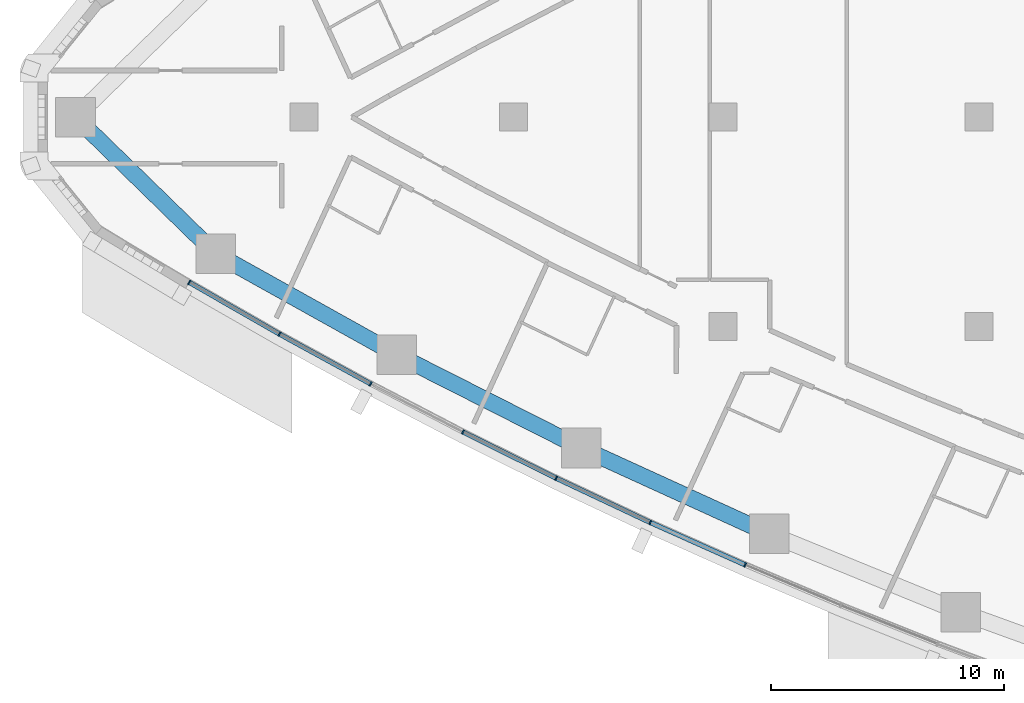
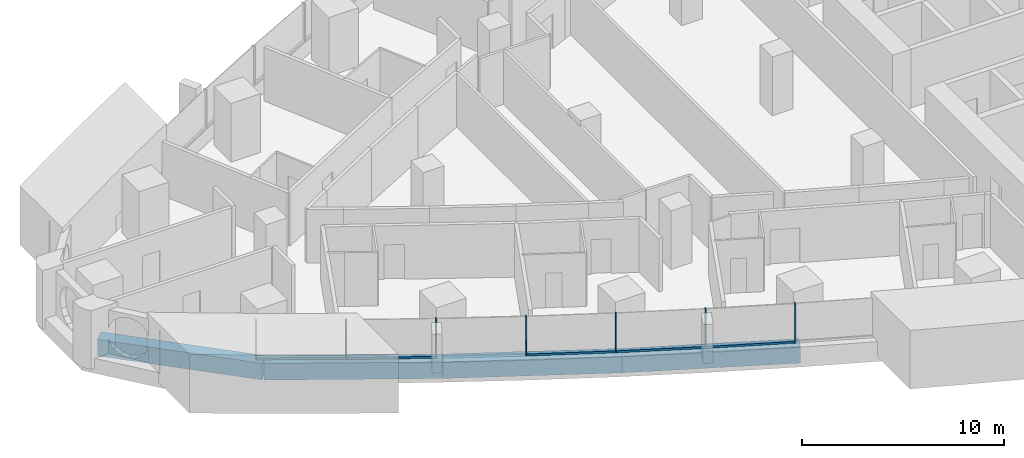
# One storey, part 2 of 17: 12 members, 4 beams, 3 elements without a shape of their own.
"""IFC4 building model written with IfcOpenShell, lengths in metres."""

from ifc_helpers import new_model, si_unit, direction, frame, origin, origin_2d, place, context, subcontext, project, spatial, rectangle, extrude, material, layer, layer_set, material_profile, profile_set, type_object, element, aggregate, save


model = new_model("IFC4")

# Units and contexts
model_context = context("Model", 3, precision=1e-05, world=origin(), true_north=direction((0.0, 1.0)))
body_context = subcontext(model_context, "Body", "Model", "MODEL_VIEW")
ifc_project = project(units=[si_unit("LENGTHUNIT", "METRE"), si_unit("AREAUNIT", "SQUARE_METRE"), si_unit("VOLUMEUNIT", "CUBIC_METRE"), si_unit("PLANEANGLEUNIT", "RADIAN"), si_unit("MASSUNIT", "GRAM", prefix="KILO")], contexts=[model_context])

# Site, building, storey
site_placement = place(None, origin())
site = spatial("IfcSite", under=ifc_project, at=site_placement, CompositionType="ELEMENT")
building_placement = place(site_placement, origin())
building = spatial("IfcBuilding", under=site, at=building_placement, Name="Ostrand Prow Hotel Tower", CompositionType="ELEMENT")
storey_placement = place(building_placement, frame((0.0, 0.0, 92.0)))
storey = spatial("IfcBuildingStorey", under=building, at=storey_placement, Name="L21", CompositionType="ELEMENT", Elevation=92.0)

# Beams
ifc_material_1 = material(Name="Concrete C80/95", Category="concrete")
ifc_material_profile_1 = material_profile(ifc_material_1, rectangle(XDim=0.699951171875, YDim=1.0, at=origin_2d()), Name="RC 700x1000")
ifc_profile_set_1 = profile_set([ifc_material_profile_1], Name="Concrete C80/95")
beam_type = type_object("IfcBeamType", Name="Edge beam 700x1000 C80/95", PredefinedType="SPANDREL", material=ifc_profile_set_1)
beam_1_placement = place(storey_placement, frame((6.193115234375, 0.0, -0.800048828125), z_axis=(0.716082759826, -0.698015387423, 0.0), x_axis=(0.698015387423, 0.716082759826, 0.0)))
element("IfcBeam", 1, at=beam_1_placement, inside=storey, type_object=beam_type, Name="Edge beam P-S1", PredefinedType="SPANDREL", context=body_context, shape_type="SweptSolid", body=[
    extrude(rectangle(XDim=0.699951171875, YDim=1.0, at=origin_2d()), origin(), (0.0, 0.0, 1.0), 8.41845703125),
])
beam_2_placement = place(storey_placement, frame((12.221435546875, -5.876220703125, -0.800048828125), z_axis=(0.873452439955, -0.486909473245, 0.0), x_axis=(0.486909473245, 0.873452439955, 0.0)))
element("IfcBeam", 2, at=beam_2_placement, inside=storey, type_object=beam_type, Name="Edge beam S1-S2", PredefinedType="SPANDREL", context=body_context, shape_type="SweptSolid", body=[
    extrude(rectangle(XDim=0.699951171875, YDim=1.0, at=origin_2d()), origin(), (0.0, 0.0, 1.0), 8.883544921875),
])
beam_3_placement = place(storey_placement, frame((19.980712890625, -10.20166015625, -0.800048828125), z_axis=(0.892284288592, -0.451473973039, 0.0), x_axis=(0.451473973039, 0.892284288592, 0.0)))
element("IfcBeam", 3, at=beam_3_placement, inside=storey, type_object=beam_type, Name="Edge beam S2-S3", PredefinedType="SPANDREL", context=body_context, shape_type="SweptSolid", body=[
    extrude(rectangle(XDim=0.699951171875, YDim=1.0, at=origin_2d()), origin(), (0.0, 0.0, 1.0), 8.883056640625),
])
beam_4_placement = place(storey_placement, frame((27.906982421875, -14.212158203125, -0.800048828125), z_axis=(0.909681006953, -0.415307675813, 0.0), x_axis=(0.415307675813, 0.909681006953, 0.0)))
element("IfcBeam", 4, at=beam_4_placement, inside=storey, type_object=beam_type, Name="Edge beam S3-S4", PredefinedType="SPANDREL", context=body_context, shape_type="SweptSolid", body=[
    extrude(rectangle(XDim=0.699951171875, YDim=1.0, at=origin_2d()), origin(), (0.0, 0.0, 1.0), 8.883544921875),
])

# Curtain wall, members
ifc_material_2 = material(Name="Insulated glass in bronze anodised frame", Category="glass")
ifc_layer = layer(ifc_material_2, 0.199951171875)
ifc_layer_set = layer_set([ifc_layer], Name="Insulated glass in bronze anodised frame")
curtain_wall_type = type_object("IfcCurtainWallType", Name="Strip curtain wall, fritted glass over bronze spandrel", PredefinedType="NOTDEFINED", material=ifc_layer_set)
curtain_wall_1_placement = place(storey_placement, origin())
curtain_wall_1 = element("IfcCurtainWall", 5, at=curtain_wall_1_placement, inside=storey, type_object=curtain_wall_type, Name="CW1 run CWS1", PredefinedType="NOTDEFINED")
ifc_material_3 = material(Name="Bronze anodised aluminium", Category="aluminium")
ifc_material_profile_2 = material_profile(ifc_material_3, rectangle(XDim=0.199951171875, YDim=0.06005859375, at=origin_2d()), Name="Mullion 60x200 bronze anodised aluminium")
ifc_profile_set_2 = profile_set([ifc_material_profile_2], Name="Bronze anodised aluminium")
member_type_1 = type_object("IfcMemberType", Name="Mullion 60x200 bronze anodised aluminium", PredefinedType="MULLION", material=ifc_profile_set_2)
member_1_placement = place(storey_placement, frame((11.076416015625, -7.099853515625, 0.89990234375), z_axis=(0.0, 0.0, 1.0), x_axis=(0.497114806368, 0.867684775301, 0.0)))
member_1 = element("IfcMember", 6, at=member_1_placement, type_object=member_type_1, Name="CW1 mullion 1", PredefinedType="MULLION", context=body_context, shape_type="SweptSolid", body=[
    extrude(rectangle(XDim=0.199951171875, YDim=0.06005859375, at=origin_2d()), origin(), (0.0, 0.0, 1.0), 2.35009765625),
])
member_2_placement = place(storey_placement, frame((14.951416015625, -9.320068359375, 0.89990234375), z_axis=(0.0, 0.0, 1.0), x_axis=(0.479637052103, 0.877466978439, 0.0)))
member_2 = element("IfcMember", 7, at=member_2_placement, type_object=member_type_1, Name="CW1 mullion 2", PredefinedType="MULLION", context=body_context, shape_type="SweptSolid", body=[
    extrude(rectangle(XDim=0.199951171875, YDim=0.06005859375, at=origin_2d()), origin(), (0.0, 0.0, 1.0), 2.35009765625),
])
member_3_placement = place(storey_placement, frame((18.870361328125, -11.4619140625, 0.89990234375), z_axis=(0.0, 0.0, 1.0), x_axis=(0.479637052103, 0.877466978439, 0.0)))
member_3 = element("IfcMember", 8, at=member_3_placement, type_object=member_type_1, Name="CW1 mullion 3", PredefinedType="MULLION", context=body_context, shape_type="SweptSolid", body=[
    extrude(rectangle(XDim=0.199951171875, YDim=0.06005859375, at=origin_2d()), origin(), (0.0, 0.0, 1.0), 2.35009765625),
])

curtain_wall_2_placement = place(storey_placement, origin())
curtain_wall_2 = element("IfcCurtainWall", 9, at=curtain_wall_2_placement, inside=storey, type_object=curtain_wall_type, Name="CW1 run CWS2", PredefinedType="NOTDEFINED")
member_4_placement = place(storey_placement, frame((22.831298828125, -13.525146484375, 0.89990234375), z_axis=(0.0, 0.0, 1.0), x_axis=(0.44411295748, 0.895970803653, 0.0)))
member_4 = element("IfcMember", 10, at=member_4_placement, type_object=member_type_1, Name="CW1 mullion 2", PredefinedType="MULLION", context=body_context, shape_type="SweptSolid", body=[
    extrude(rectangle(XDim=0.199951171875, YDim=0.06005859375, at=origin_2d()), origin(), (0.0, 0.0, 1.0), 2.35009765625),
])
member_5_placement = place(storey_placement, frame((26.83251953125, -15.508544921875, 0.89990234375), z_axis=(0.0, 0.0, 1.0), x_axis=(0.44411295748, 0.895970803653, 0.0)))
member_5 = element("IfcMember", 11, at=member_5_placement, type_object=member_type_1, Name="CW1 mullion 3", PredefinedType="MULLION", context=body_context, shape_type="SweptSolid", body=[
    extrude(rectangle(XDim=0.199951171875, YDim=0.06005859375, at=origin_2d()), origin(), (0.0, 0.0, 1.0), 2.35009765625),
])

curtain_wall_3_placement = place(storey_placement, origin())
curtain_wall_3 = element("IfcCurtainWall", 12, at=curtain_wall_3_placement, inside=storey, type_object=curtain_wall_type, Name="CW1 run CWS3", PredefinedType="NOTDEFINED")
member_6_placement = place(storey_placement, frame((30.872802734375, -17.41162109375, 0.89990234375), z_axis=(0.0, 0.0, 1.0), x_axis=(0.407874755419, 0.913037887435, 0.0)))
member_6 = element("IfcMember", 13, at=member_6_placement, type_object=member_type_1, Name="CW1 mullion 2", PredefinedType="MULLION", context=body_context, shape_type="SweptSolid", body=[
    extrude(rectangle(XDim=0.199951171875, YDim=0.06005859375, at=origin_2d()), origin(), (0.0, 0.0, 1.0), 2.35009765625),
])
member_7_placement = place(storey_placement, frame((34.95068359375, -19.233154296875, 0.89990234375), z_axis=(0.0, 0.0, 1.0), x_axis=(0.407874755419, 0.913037887435, 0.0)))
member_7 = element("IfcMember", 14, at=member_7_placement, type_object=member_type_1, Name="CW1 mullion 3", PredefinedType="MULLION", context=body_context, shape_type="SweptSolid", body=[
    extrude(rectangle(XDim=0.199951171875, YDim=0.06005859375, at=origin_2d()), origin(), (0.0, 0.0, 1.0), 2.35009765625),
])

# Member
ifc_material_4 = material(Name="Bronze anodised aluminium", Category="aluminium")
ifc_material_profile_3 = material_profile(ifc_material_4, rectangle(XDim=0.199951171875, YDim=0.1201171875, at=origin_2d()), Name="Transom 120x200 bronze anodised aluminium")
ifc_profile_set_3 = profile_set([ifc_material_profile_3], Name="Bronze anodised aluminium")
member_type_2 = type_object("IfcMemberType", Name="Transom 120x200 bronze anodised aluminium", PredefinedType="USERDEFINED", material=ifc_profile_set_3)
member_8_placement = place(storey_placement, frame((11.1025390625, -7.11474609375, 0.9599609375), z_axis=(0.86766970623, -0.497141107625, 0.0), x_axis=(0.497141107625, 0.86766970623, 0.0)))
member_8 = element("IfcMember", 15, at=member_8_placement, type_object=member_type_2, Name="CW1 transom 1.1", ObjectType="TRANSOM", PredefinedType="USERDEFINED", context=body_context, shape_type="SweptSolid", body=[
    extrude(rectangle(XDim=0.199951171875, YDim=0.1201171875, at=origin_2d()), origin(), (0.0, 0.0, 1.0), 4.406005859375),
])

member_9_placement = place(storey_placement, frame((14.977783203125, -9.33447265625, 0.9599609375), z_axis=(0.877471714137, -0.479628388328, 0.0), x_axis=(0.479628388328, 0.877471714137, 0.0)))
member_9 = element("IfcMember", 16, at=member_9_placement, type_object=member_type_2, Name="CW1 transom 2.1", ObjectType="TRANSOM", PredefinedType="USERDEFINED", context=body_context, shape_type="SweptSolid", body=[
    extrude(rectangle(XDim=0.199951171875, YDim=0.1201171875, at=origin_2d()), origin(), (0.0, 0.0, 1.0), 4.406005859375),
])

aggregate(curtain_wall_1, [member_1, member_2, member_3, member_8, member_9])

member_10_placement = place(storey_placement, frame((22.858154296875, -13.53857421875, 0.9599609375), z_axis=(0.895962348168, -0.444130015497, 0.0), x_axis=(0.444130015497, 0.895962348168, 0.0)))
member_10 = element("IfcMember", 17, at=member_10_placement, type_object=member_type_2, Name="CW1 transom 2.1", ObjectType="TRANSOM", PredefinedType="USERDEFINED", context=body_context, shape_type="SweptSolid", body=[
    extrude(rectangle(XDim=0.199951171875, YDim=0.1201171875, at=origin_2d()), origin(), (0.0, 0.0, 1.0), 4.406005859375),
])

aggregate(curtain_wall_2, [member_4, member_5, member_10])

member_11_placement = place(storey_placement, frame((26.859619140625, -15.521484375, 0.9599609375), z_axis=(0.904696854963, -0.42605586561, 0.0), x_axis=(0.42605586561, 0.904696854963, 0.0)))
member_11 = element("IfcMember", 18, at=member_11_placement, type_object=member_type_2, Name="CW1 transom 1.1", ObjectType="TRANSOM", PredefinedType="USERDEFINED", context=body_context, shape_type="SweptSolid", body=[
    extrude(rectangle(XDim=0.199951171875, YDim=0.1201171875, at=origin_2d()), origin(), (0.0, 0.0, 1.0), 4.406005859375),
])

member_12_placement = place(storey_placement, frame((30.900390625, -17.423583984375, 0.9599609375), z_axis=(0.913030665163, -0.407890922271, 0.0), x_axis=(0.407890922271, 0.913030665163, 0.0)))
member_12 = element("IfcMember", 19, at=member_12_placement, type_object=member_type_2, Name="CW1 transom 2.1", ObjectType="TRANSOM", PredefinedType="USERDEFINED", context=body_context, shape_type="SweptSolid", body=[
    extrude(rectangle(XDim=0.199951171875, YDim=0.1201171875, at=origin_2d()), origin(), (0.0, 0.0, 1.0), 4.40576171875),
])

aggregate(curtain_wall_3, [member_6, member_7, member_11, member_12])

save(model, "model.ifc")
